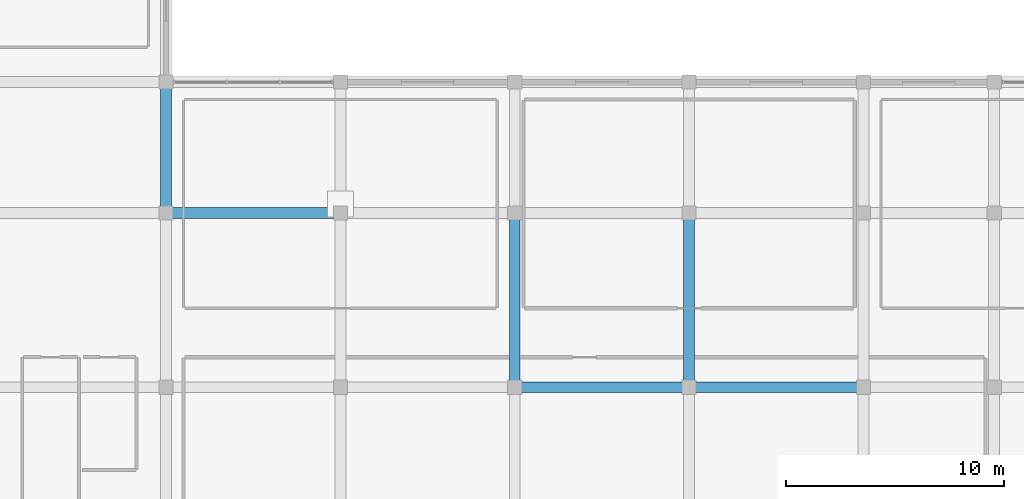
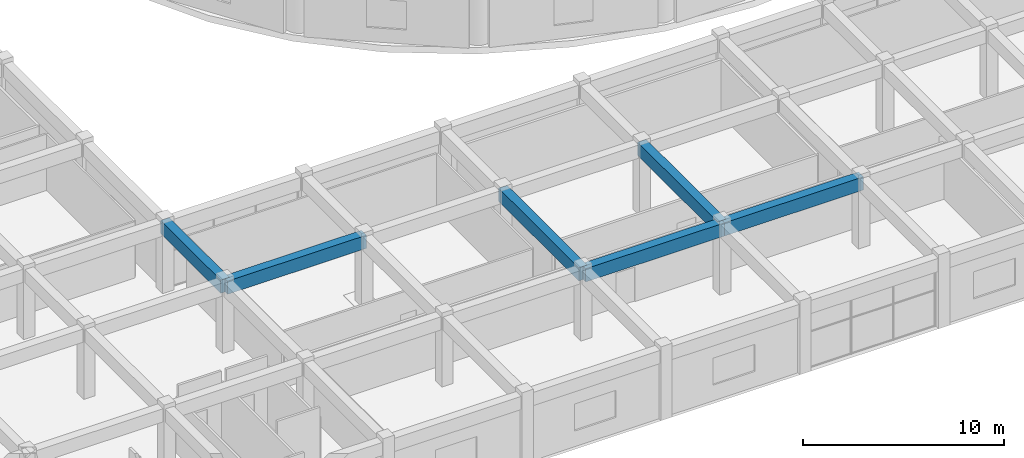
# One storey, part 9 of 52: 6 beams.
"""IFC4 building model written with IfcOpenShell, lengths in metres."""

import ifcopenshell
import ifcopenshell.guid

model = None  # the IFC model being written
_history = None  # IfcOwnerHistory: only IFC2X3 demands one
_inside = {}  # id of a spatial element -> (the spatial element, [elements in it])
_under = {}  # id of a project, library or spatial element -> (it, [spatial elements below it])
_declared = {}  # id of a project -> (the project, [libraries it declares])
_typed = {}  # id of a type object -> (the type object, [elements of that type])
_made_of = {}  # id of a material, layer set ... -> (it, [elements and type objects made of it])


def new_model(schema):
    """Start an empty IFC model of exactly this schema.

    Asked for "IFC4X3", IfcOpenShell would pick the latest addendum, in which some entities
    have other attributes; the version numbers below select the first issue.
    IFC2X3 requires an IfcOwnerHistory on every rooted entity: one is made here for all.
    """
    global model, _history
    if schema == "IFC4X3":
        model = ifcopenshell.file(schema_version=(4, 3, 0, 0))
    else:
        model = ifcopenshell.file(schema=schema)
    _inside.clear()
    _under.clear()
    _declared.clear()
    _typed.clear()
    _made_of.clear()
    _history = None
    if model.schema == "IFC2X3":
        org = make("IfcOrganization", Name="unknown")
        user = make(
            "IfcPersonAndOrganization",
            ThePerson=make("IfcPerson", FamilyName="unknown"),
            TheOrganization=org,
        )
        app = make(
            "IfcApplication",
            ApplicationDeveloper=org,
            Version="unknown",
            ApplicationFullName="unknown",
            ApplicationIdentifier="unknown",
        )
        _history = make(
            "IfcOwnerHistory",
            OwningUser=user,
            OwningApplication=app,
            ChangeAction="ADDED",
            CreationDate=0,
        )
    return model


def make(cls, **values):
    """One entity of the class cls with the attributes given. An attribute that is None is left unset."""
    return model.create_entity(
        cls, **{name: value for name, value in values.items() if value is not None}
    )


def rooted(cls, **values):
    """An entity with a GlobalId (a new one), such as an element, a storey or a relation."""
    return make(cls, GlobalId=ifcopenshell.guid.new(), OwnerHistory=_history, **values)


def si_unit(unit_type, name, prefix=None):
    """IfcSIUnit, for example si_unit("LENGTHUNIT", "METRE", prefix="MILLI")."""
    return make("IfcSIUnit", UnitType=unit_type, Prefix=prefix, Name=name)


def assignment(units):
    """IfcUnitAssignment: the units of a project."""
    return None if units is None else make("IfcUnitAssignment", Units=units)


def point(xyz):
    """IfcCartesianPoint."""
    return None if xyz is None else make("IfcCartesianPoint", Coordinates=xyz)


def direction(xyz):
    """IfcDirection."""
    return None if xyz is None else make("IfcDirection", DirectionRatios=xyz)


def frame(location, z_axis=None, x_axis=None):
    """IfcAxis2Placement3D, a coordinate frame: its origin and axes. An axis left out is left unset."""
    return make(
        "IfcAxis2Placement3D",
        Location=point(location),
        Axis=direction(z_axis),
        RefDirection=direction(x_axis),
    )


def frame_2d(location, x_axis=None):
    """IfcAxis2Placement2D, a coordinate frame in the plane: its origin and x axis."""
    return make(
        "IfcAxis2Placement2D", Location=point(location), RefDirection=direction(x_axis)
    )


def origin():
    """The frame at (0, 0, 0) with its axes left unset."""
    return frame((0.0, 0.0, 0.0))


def origin_2d():
    """The frame at (0, 0) in the plane with its x axis left unset."""
    return frame_2d((0.0, 0.0))


def place(relative_to, where):
    """IfcLocalPlacement: puts the frame where relative to a parent placement (None: the world)."""
    return make(
        "IfcLocalPlacement", PlacementRelTo=relative_to, RelativePlacement=where
    )


def context(
    kind, dimensions, precision=None, world=None, true_north=None, identifier=None
):
    """IfcGeometricRepresentationContext, for example the 3D "Model" context."""
    return make(
        "IfcGeometricRepresentationContext",
        ContextIdentifier=identifier,
        ContextType=kind,
        CoordinateSpaceDimension=dimensions,
        Precision=precision,
        WorldCoordinateSystem=world,
        TrueNorth=true_north,
    )


def subcontext(parent, identifier, kind, view, scale=None):
    """IfcGeometricRepresentationSubContext, for example "Body" below "Model"."""
    return make(
        "IfcGeometricRepresentationSubContext",
        ContextIdentifier=identifier,
        ContextType=kind,
        ParentContext=parent,
        TargetScale=scale,
        TargetView=view,
    )


def project(units=None, contexts=None):
    """IfcProject with its units and contexts."""
    return rooted(
        "IfcProject",
        Name="project",
        RepresentationContexts=contexts,
        UnitsInContext=assignment(units),
    )


def spatial(cls, under=None, at=None, **own):
    """A site, building, storey or space (cls), placed at a placement, below another one or the project."""
    s = rooted(cls, ObjectPlacement=at, **own)
    if under is not None:
        _under.setdefault(under.id(), (under, []))[1].append(s)
    return s


def profile(cls, at=None, kind="AREA", **sizes):
    """A parametric profile (cls). Its sizes go by their IFC names, for example OverallWidth=200.0."""
    return make(cls, ProfileType=kind, Position=at, **sizes)


def rectangle(**sizes):
    """IfcRectangleProfileDef."""
    return profile("IfcRectangleProfileDef", **sizes)


def extrude(swept, where, along, depth):
    """IfcExtrudedAreaSolid: the profile swept, set in the frame where, extruded along a direction by depth."""
    return make(
        "IfcExtrudedAreaSolid",
        SweptArea=swept,
        Position=where,
        ExtrudedDirection=direction(along),
        Depth=depth,
    )


def shape(context_of_items, identifier, shape_type, items):
    """IfcShapeRepresentation: the items that make up one representation, for example the "Body"."""
    return make(
        "IfcShapeRepresentation",
        ContextOfItems=context_of_items,
        RepresentationIdentifier=identifier,
        RepresentationType=shape_type,
        Items=items,
    )


def material(Name=None, Category=None):
    """IfcMaterial."""
    return make("IfcMaterial", Name=Name, Category=Category)


def material_profile(
    of_material, cross_section, Name=None, Category=None, Priority=None
):
    """IfcMaterialProfile: a cross section and its material."""
    return make(
        "IfcMaterialProfile",
        Name=Name,
        Material=of_material,
        Profile=cross_section,
        Priority=Priority,
        Category=Category,
    )


def profile_set(profiles, Name=None, composite=None):
    """IfcMaterialProfileSet."""
    return make(
        "IfcMaterialProfileSet",
        Name=Name,
        MaterialProfiles=profiles,
        CompositeProfile=composite,
    )


def made_of(thing, what):
    """Note that an element or type object is made of a material, layer set ...; save() writes the relation."""
    if what is not None:
        _made_of.setdefault(what.id(), (what, []))[1].append(thing)
    return thing


def type_object(cls, material=None, **own):
    """A type object (cls), such as IfcWallType, which elements share."""
    return made_of(rooted(cls, **own), material)


def element(
    cls,
    number,
    at=None,
    inside=None,
    cuts=None,
    type_object=None,
    material=None,
    context=None,
    identifier="Body",
    shape_type=None,
    held_by="IfcProductDefinitionShape",
    body=None,
    shapes=None,
    **own,
):
    """One element of the class cls, such as IfcWall. Its Tag is "e" and its number.

    at: its placement. inside: the storey or other place that contains it. cuts: it is an
    opening in that element (IfcRelVoidsElement). A single representation is given by context,
    identifier, shape_type and body (its items); several are given by shapes. held_by: the class
    of the entity that holds the representations. save() writes the other relations.
    """
    e = rooted(cls, Tag="e%d" % number, ObjectPlacement=at, **own)
    if body is not None:
        shapes = [shape(context, identifier, shape_type, body)]
    if shapes is not None:
        e.Representation = make(held_by, Representations=shapes)
    if inside is not None:
        _inside.setdefault(inside.id(), (inside, []))[1].append(e)
    if cuts is not None:
        rooted(
            "IfcRelVoidsElement", RelatingBuildingElement=cuts, RelatedOpeningElement=e
        )
    if type_object is not None:
        _typed.setdefault(type_object.id(), (type_object, []))[1].append(e)
    return made_of(e, material)


def aggregate(whole, parts):
    """IfcRelAggregates: a whole, such as a stair, and the parts it consists of."""
    return rooted("IfcRelAggregates", RelatingObject=whole, RelatedObjects=parts)


def save(model, path):
    """Write the relations noted so far, then the file.

    IfcRelAggregates (storeys below a building ...), IfcRelContainedInSpatialStructure (elements
    in a storey), IfcRelDefinesByType, IfcRelAssociatesMaterial and IfcRelDeclares: one each for
    every whole, place, type object, material and project.
    """
    for whole, parts in _under.values():
        aggregate(whole, parts)
    for where, things in _inside.values():
        rooted(
            "IfcRelContainedInSpatialStructure",
            RelatedElements=things,
            RelatingStructure=where,
        )
    for kind, things in _typed.values():
        rooted("IfcRelDefinesByType", RelatedObjects=things, RelatingType=kind)
    for what, things in _made_of.values():
        rooted("IfcRelAssociatesMaterial", RelatedObjects=things, RelatingMaterial=what)
    for by, libraries in _declared.values():
        rooted("IfcRelDeclares", RelatingContext=by, RelatedDefinitions=libraries)
    model.write(path)


model = new_model("IFC4")

# Units and contexts
model_context = context("Model", 3, precision=1e-05, world=origin(), true_north=direction((0.0, 1.0)))
body_context = subcontext(model_context, "Body", "Model", "MODEL_VIEW")
ifc_project = project(units=[si_unit("LENGTHUNIT", "METRE"), si_unit("AREAUNIT", "SQUARE_METRE"), si_unit("VOLUMEUNIT", "CUBIC_METRE"), si_unit("PLANEANGLEUNIT", "RADIAN"), si_unit("MASSUNIT", "GRAM", prefix="KILO")], contexts=[model_context])

# Site, building, storey
site_placement = place(None, origin())
site = spatial("IfcSite", under=ifc_project, at=site_placement, CompositionType="ELEMENT")
building_placement = place(site_placement, origin())
building = spatial("IfcBuilding", under=site, at=building_placement, Name="Kelanora Arch Commons", CompositionType="ELEMENT")
storey_placement = place(building_placement, frame((0.0, 0.0, 13.5)))
storey = spatial("IfcBuildingStorey", under=building, at=storey_placement, Name="L03", CompositionType="ELEMENT", Elevation=13.5)

# Beams
ifc_material = material(Name="Concrete C40/50", Category="concrete")
ifc_material_profile = material_profile(ifc_material, rectangle(XDim=0.5, YDim=0.800048828125, at=origin_2d()), Name="RCB500x800")
ifc_profile_set = profile_set([ifc_material_profile], Name="Concrete C40/50")
beam_type = type_object("IfcBeamType", Name="BM-MKT-RC1", PredefinedType="BEAM", material=ifc_profile_set)
beam_1_placement = place(storey_placement, frame((36.0, 20.0, 3.840087890625), z_axis=(1.0, 0.0, 0.0), x_axis=(0.0, 1.0, 0.0)))
element("IfcBeam", 1, at=beam_1_placement, inside=storey, type_object=beam_type, Name="Market/Basement Frame Beam 084 L03", PredefinedType="BEAM", context=body_context, shape_type="SweptSolid", body=[
    extrude(rectangle(XDim=0.5, YDim=0.800048828125, at=origin_2d()), origin(), (0.0, 0.0, 1.0), 8.0),
])
beam_2_placement = place(storey_placement, frame((36.0, 20.0, 3.840087890625), z_axis=(0.0, 1.0, 0.0), x_axis=(-1.0, 0.0, 0.0)))
element("IfcBeam", 2, at=beam_2_placement, inside=storey, type_object=beam_type, Name="Market/Basement Frame Beam 085 L03", PredefinedType="BEAM", context=body_context, shape_type="SweptSolid", body=[
    extrude(rectangle(XDim=0.5, YDim=0.800048828125, at=origin_2d()), origin(), (0.0, 0.0, 1.0), 6.0),
])
for number, where, z_axis, x_axis, name in (
    (3, (52.0, 12.0, 3.840087890625), (1.0, 0.0, 0.0), (0.0, 1.0, 0.0), "Market/Basement Frame Beam 103 L03"),
    (4, (52.0, 12.0, 3.840087890625), (0.0, 1.0, 0.0), (-1.0, 0.0, 0.0), "Market/Basement Frame Beam 104 L03"),
    (5, (60.0, 12.0, 3.840087890625), (1.0, 0.0, 0.0), (0.0, 1.0, 0.0), "Market/Basement Frame Beam 110 L03"),
    (6, (60.0, 12.0, 3.840087890625), (0.0, 1.0, 0.0), (-1.0, 0.0, 0.0), "Market/Basement Frame Beam 111 L03"),
):
    element("IfcBeam", number, at=place(storey_placement, frame(where, z_axis=z_axis, x_axis=x_axis)), inside=storey, type_object=beam_type, Name=name, PredefinedType="BEAM", context=body_context, shape_type="SweptSolid", body=[
        extrude(rectangle(XDim=0.5, YDim=0.800048828125, at=origin_2d()), origin(), (0.0, 0.0, 1.0), 8.0),
    ])

save(model, "model.ifc")
